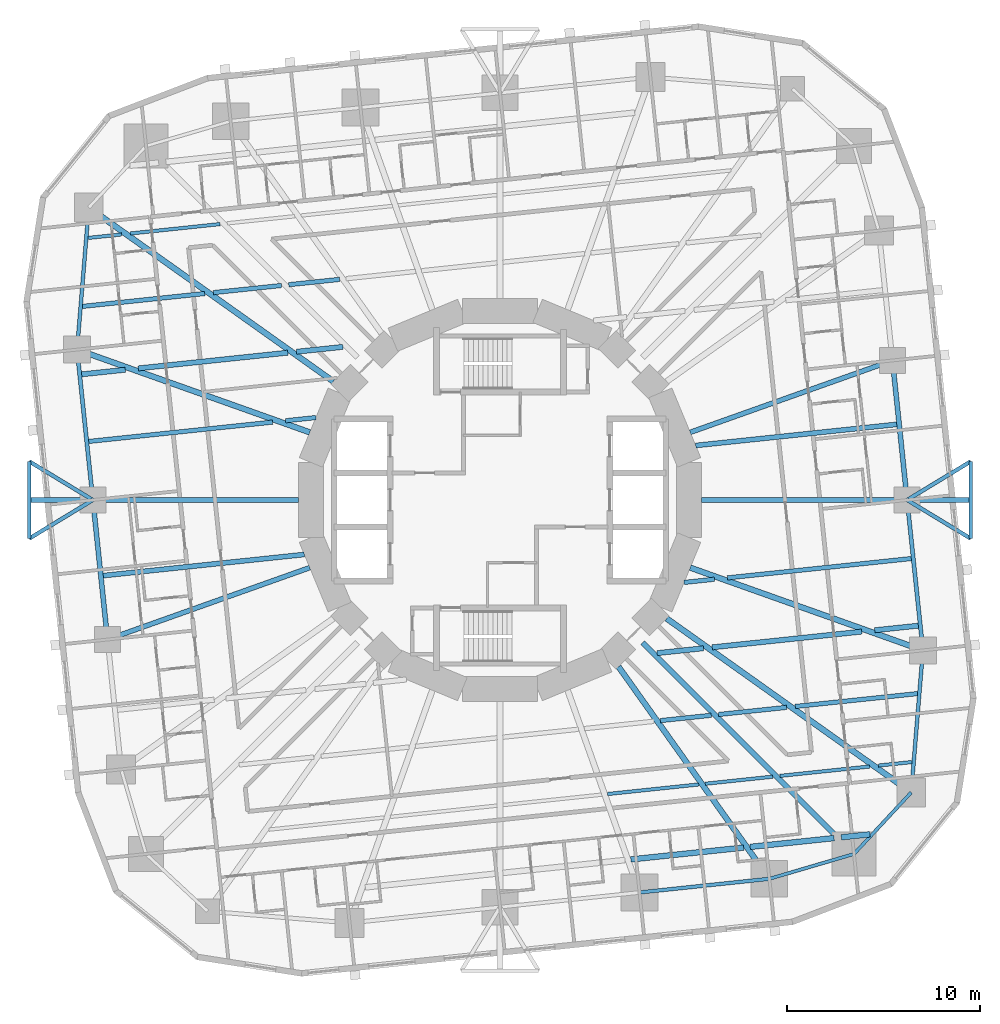
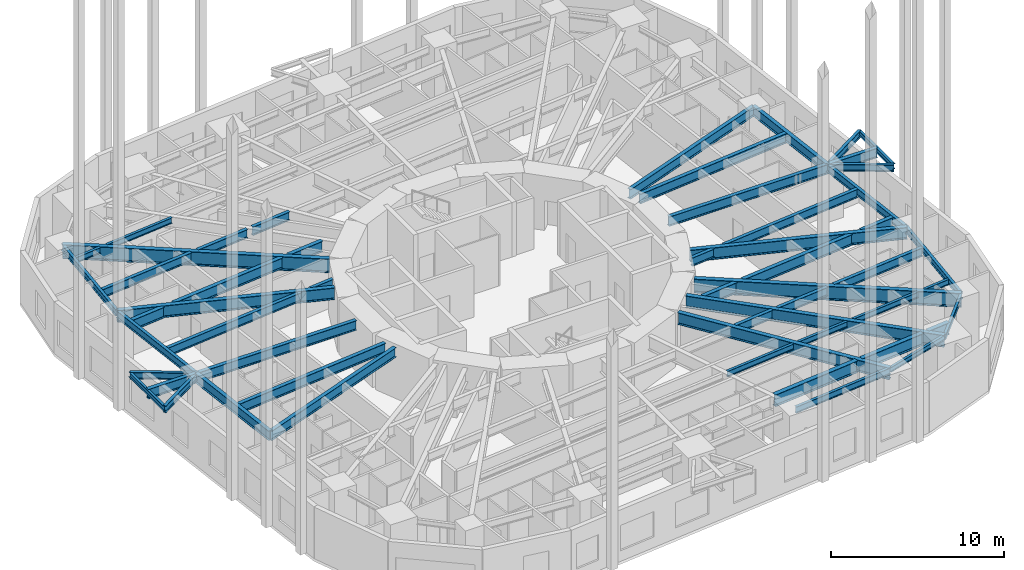
# One storey, part 2 of 13: 52 beams.
"""IFC4 building model written with IfcOpenShell, lengths in metres."""

import ifcopenshell
import ifcopenshell.guid

model = None  # the IFC model being written
_history = None  # IfcOwnerHistory: only IFC2X3 demands one
_inside = {}  # id of a spatial element -> (the spatial element, [elements in it])
_under = {}  # id of a project, library or spatial element -> (it, [spatial elements below it])
_declared = {}  # id of a project -> (the project, [libraries it declares])
_typed = {}  # id of a type object -> (the type object, [elements of that type])
_made_of = {}  # id of a material, layer set ... -> (it, [elements and type objects made of it])


def new_model(schema):
    """Start an empty IFC model of exactly this schema.

    Asked for "IFC4X3", IfcOpenShell would pick the latest addendum, in which some entities
    have other attributes; the version numbers below select the first issue.
    IFC2X3 requires an IfcOwnerHistory on every rooted entity: one is made here for all.
    """
    global model, _history
    if schema == "IFC4X3":
        model = ifcopenshell.file(schema_version=(4, 3, 0, 0))
    else:
        model = ifcopenshell.file(schema=schema)
    _inside.clear()
    _under.clear()
    _declared.clear()
    _typed.clear()
    _made_of.clear()
    _history = None
    if model.schema == "IFC2X3":
        org = make("IfcOrganization", Name="unknown")
        user = make(
            "IfcPersonAndOrganization",
            ThePerson=make("IfcPerson", FamilyName="unknown"),
            TheOrganization=org,
        )
        app = make(
            "IfcApplication",
            ApplicationDeveloper=org,
            Version="unknown",
            ApplicationFullName="unknown",
            ApplicationIdentifier="unknown",
        )
        _history = make(
            "IfcOwnerHistory",
            OwningUser=user,
            OwningApplication=app,
            ChangeAction="ADDED",
            CreationDate=0,
        )
    return model


def make(cls, **values):
    """One entity of the class cls with the attributes given. An attribute that is None is left unset."""
    return model.create_entity(
        cls, **{name: value for name, value in values.items() if value is not None}
    )


def rooted(cls, **values):
    """An entity with a GlobalId (a new one), such as an element, a storey or a relation."""
    return make(cls, GlobalId=ifcopenshell.guid.new(), OwnerHistory=_history, **values)


def si_unit(unit_type, name, prefix=None):
    """IfcSIUnit, for example si_unit("LENGTHUNIT", "METRE", prefix="MILLI")."""
    return make("IfcSIUnit", UnitType=unit_type, Prefix=prefix, Name=name)


def assignment(units):
    """IfcUnitAssignment: the units of a project."""
    return None if units is None else make("IfcUnitAssignment", Units=units)


def point(xyz):
    """IfcCartesianPoint."""
    return None if xyz is None else make("IfcCartesianPoint", Coordinates=xyz)


def direction(xyz):
    """IfcDirection."""
    return None if xyz is None else make("IfcDirection", DirectionRatios=xyz)


def frame(location, z_axis=None, x_axis=None):
    """IfcAxis2Placement3D, a coordinate frame: its origin and axes. An axis left out is left unset."""
    return make(
        "IfcAxis2Placement3D",
        Location=point(location),
        Axis=direction(z_axis),
        RefDirection=direction(x_axis),
    )


def frame_2d(location, x_axis=None):
    """IfcAxis2Placement2D, a coordinate frame in the plane: its origin and x axis."""
    return make(
        "IfcAxis2Placement2D", Location=point(location), RefDirection=direction(x_axis)
    )


def origin():
    """The frame at (0, 0, 0) with its axes left unset."""
    return frame((0.0, 0.0, 0.0))


def origin_2d():
    """The frame at (0, 0) in the plane with its x axis left unset."""
    return frame_2d((0.0, 0.0))


def place(relative_to, where):
    """IfcLocalPlacement: puts the frame where relative to a parent placement (None: the world)."""
    return make(
        "IfcLocalPlacement", PlacementRelTo=relative_to, RelativePlacement=where
    )


def context(
    kind, dimensions, precision=None, world=None, true_north=None, identifier=None
):
    """IfcGeometricRepresentationContext, for example the 3D "Model" context."""
    return make(
        "IfcGeometricRepresentationContext",
        ContextIdentifier=identifier,
        ContextType=kind,
        CoordinateSpaceDimension=dimensions,
        Precision=precision,
        WorldCoordinateSystem=world,
        TrueNorth=true_north,
    )


def subcontext(parent, identifier, kind, view, scale=None):
    """IfcGeometricRepresentationSubContext, for example "Body" below "Model"."""
    return make(
        "IfcGeometricRepresentationSubContext",
        ContextIdentifier=identifier,
        ContextType=kind,
        ParentContext=parent,
        TargetScale=scale,
        TargetView=view,
    )


def project(units=None, contexts=None):
    """IfcProject with its units and contexts."""
    return rooted(
        "IfcProject",
        Name="project",
        RepresentationContexts=contexts,
        UnitsInContext=assignment(units),
    )


def spatial(cls, under=None, at=None, **own):
    """A site, building, storey or space (cls), placed at a placement, below another one or the project."""
    s = rooted(cls, ObjectPlacement=at, **own)
    if under is not None:
        _under.setdefault(under.id(), (under, []))[1].append(s)
    return s


def profile(cls, at=None, kind="AREA", **sizes):
    """A parametric profile (cls). Its sizes go by their IFC names, for example OverallWidth=200.0."""
    return make(cls, ProfileType=kind, Position=at, **sizes)


def i_section(**sizes):
    """IfcIShapeProfileDef."""
    return profile("IfcIShapeProfileDef", **sizes)


def extrude(swept, where, along, depth):
    """IfcExtrudedAreaSolid: the profile swept, set in the frame where, extruded along a direction by depth."""
    return make(
        "IfcExtrudedAreaSolid",
        SweptArea=swept,
        Position=where,
        ExtrudedDirection=direction(along),
        Depth=depth,
    )


def shape(context_of_items, identifier, shape_type, items):
    """IfcShapeRepresentation: the items that make up one representation, for example the "Body"."""
    return make(
        "IfcShapeRepresentation",
        ContextOfItems=context_of_items,
        RepresentationIdentifier=identifier,
        RepresentationType=shape_type,
        Items=items,
    )


def material(Name=None, Category=None):
    """IfcMaterial."""
    return make("IfcMaterial", Name=Name, Category=Category)


def material_profile(
    of_material, cross_section, Name=None, Category=None, Priority=None
):
    """IfcMaterialProfile: a cross section and its material."""
    return make(
        "IfcMaterialProfile",
        Name=Name,
        Material=of_material,
        Profile=cross_section,
        Priority=Priority,
        Category=Category,
    )


def profile_set(profiles, Name=None, composite=None):
    """IfcMaterialProfileSet."""
    return make(
        "IfcMaterialProfileSet",
        Name=Name,
        MaterialProfiles=profiles,
        CompositeProfile=composite,
    )


def made_of(thing, what):
    """Note that an element or type object is made of a material, layer set ...; save() writes the relation."""
    if what is not None:
        _made_of.setdefault(what.id(), (what, []))[1].append(thing)
    return thing


def type_object(cls, material=None, **own):
    """A type object (cls), such as IfcWallType, which elements share."""
    return made_of(rooted(cls, **own), material)


def element(
    cls,
    number,
    at=None,
    inside=None,
    cuts=None,
    type_object=None,
    material=None,
    context=None,
    identifier="Body",
    shape_type=None,
    held_by="IfcProductDefinitionShape",
    body=None,
    shapes=None,
    **own,
):
    """One element of the class cls, such as IfcWall. Its Tag is "e" and its number.

    at: its placement. inside: the storey or other place that contains it. cuts: it is an
    opening in that element (IfcRelVoidsElement). A single representation is given by context,
    identifier, shape_type and body (its items); several are given by shapes. held_by: the class
    of the entity that holds the representations. save() writes the other relations.
    """
    e = rooted(cls, Tag="e%d" % number, ObjectPlacement=at, **own)
    if body is not None:
        shapes = [shape(context, identifier, shape_type, body)]
    if shapes is not None:
        e.Representation = make(held_by, Representations=shapes)
    if inside is not None:
        _inside.setdefault(inside.id(), (inside, []))[1].append(e)
    if cuts is not None:
        rooted(
            "IfcRelVoidsElement", RelatingBuildingElement=cuts, RelatedOpeningElement=e
        )
    if type_object is not None:
        _typed.setdefault(type_object.id(), (type_object, []))[1].append(e)
    return made_of(e, material)


def aggregate(whole, parts):
    """IfcRelAggregates: a whole, such as a stair, and the parts it consists of."""
    return rooted("IfcRelAggregates", RelatingObject=whole, RelatedObjects=parts)


def save(model, path):
    """Write the relations noted so far, then the file.

    IfcRelAggregates (storeys below a building ...), IfcRelContainedInSpatialStructure (elements
    in a storey), IfcRelDefinesByType, IfcRelAssociatesMaterial and IfcRelDeclares: one each for
    every whole, place, type object, material and project.
    """
    for whole, parts in _under.values():
        aggregate(whole, parts)
    for where, things in _inside.values():
        rooted(
            "IfcRelContainedInSpatialStructure",
            RelatedElements=things,
            RelatingStructure=where,
        )
    for kind, things in _typed.values():
        rooted("IfcRelDefinesByType", RelatedObjects=things, RelatingType=kind)
    for what, things in _made_of.values():
        rooted("IfcRelAssociatesMaterial", RelatedObjects=things, RelatingMaterial=what)
    for by, libraries in _declared.values():
        rooted("IfcRelDeclares", RelatingContext=by, RelatedDefinitions=libraries)
    model.write(path)


model = new_model("IFC4")

# Units and contexts
model_context = context("Model", 3, precision=1e-05, world=origin(), true_north=direction((0.0, 1.0)))
body_context = subcontext(model_context, "Body", "Model", "MODEL_VIEW")
ifc_project = project(units=[si_unit("LENGTHUNIT", "METRE"), si_unit("AREAUNIT", "SQUARE_METRE"), si_unit("VOLUMEUNIT", "CUBIC_METRE"), si_unit("PLANEANGLEUNIT", "RADIAN"), si_unit("MASSUNIT", "GRAM", prefix="KILO")], contexts=[model_context])

# Site, building, storey
site_placement = place(None, origin())
site = spatial("IfcSite", under=ifc_project, at=site_placement, CompositionType="ELEMENT")
building_placement = place(site_placement, origin())
building = spatial("IfcBuilding", under=site, at=building_placement, Name="Nakasero Lantern House", CompositionType="ELEMENT")
storey_placement = place(building_placement, frame((0.0, 0.0, 60.5)))
storey = spatial("IfcBuildingStorey", under=building, at=storey_placement, Name="L14", CompositionType="ELEMENT", Elevation=60.5)

# Beams
ifc_material_1 = material(Name="Steel S355", Category="steel")
ifc_material_profile_1 = material_profile(ifc_material_1, i_section(OverallWidth=0.199462890625, OverallDepth=0.491943359375, WebThickness=0.01806640625, FlangeThickness=0.031982421875, FilletRadius=0.01025390625, at=origin_2d()), Name="UB 457x191x161")
ifc_profile_set_1 = profile_set([ifc_material_profile_1], Name="Steel S355")
beam_type_1 = type_object("IfcBeamType", Name="Balcony splay beam UB 457x191x161", PredefinedType="BEAM", material=ifc_profile_set_1)
for number, where, z_axis, x_axis, name in (
    (1, (21.11572265625, 0.0, 3.404052734375), (0.855201230787, 0.518296107317, 0.0), (-0.518296107317, 0.855201230787, 0.0), "Balcony splay beam L15 B2-C03A"),
    (2, (21.11572265625, 0.0, 3.404052734375), (0.855201230787, -0.518296107317, 0.0), (0.518296107317, 0.855201230787, 0.0), "Balcony splay beam L15 B2-C03B"),
    (3, (-21.11572265625, 0.0, 3.404052734375), (-0.855201230787, -0.518296107317, 0.0), (0.518296107317, -0.855201230787, 0.0), "Balcony splay beam L15 B2-C15A"),
    (4, (-21.11572265625, 0.0, 3.404052734375), (-0.855201230787, 0.518296107317, 0.0), (-0.518296107317, -0.855201230787, 0.0), "Balcony splay beam L15 B2-C15B"),
):
    element("IfcBeam", number, at=place(storey_placement, frame(where, z_axis=z_axis, x_axis=x_axis)), inside=storey, type_object=beam_type_1, Name=name, PredefinedType="BEAM", context=body_context, shape_type="SweptSolid", body=[
        extrude(i_section(OverallWidth=0.199462890625, OverallDepth=0.491943359375, WebThickness=0.01806640625, FlangeThickness=0.031982421875, FilletRadius=0.01025390625, at=origin_2d()), origin(), (0.0, 0.0, 1.0), 3.85888671875),
    ])
ifc_material_2 = material(Name="Steel S355", Category="steel")
ifc_material_profile_2 = material_profile(ifc_material_2, i_section(OverallWidth=0.17138671875, OverallDepth=0.35498046875, WebThickness=0.00732421875, FlangeThickness=0.011474609375, FilletRadius=0.01025390625, at=origin_2d()), Name="UB 356x171x51")
ifc_profile_set_2 = profile_set([ifc_material_profile_2], Name="Steel S355")
beam_type_2 = type_object("IfcBeamType", Name="Balcony tie beam UB 356x171x51", PredefinedType="BEAM", material=ifc_profile_set_2)
for number, where, z_axis, x_axis, name in (
    (5, (24.415771484375, 2.0, 3.472412109375), (0.0, -1.0, 0.0), (1.0, 0.0, 0.0), "Balcony tie beam L15 B2-C03"),
    (6, (-24.415771484375, -2.0, 3.472412109375), (0.0, 1.0, 0.0), (-1.0, 0.0, 0.0), "Balcony tie beam L15 B2-C15"),
):
    element("IfcBeam", number, at=place(storey_placement, frame(where, z_axis=z_axis, x_axis=x_axis)), inside=storey, type_object=beam_type_2, Name=name, PredefinedType="BEAM", context=body_context, shape_type="SweptSolid", body=[
        extrude(i_section(OverallWidth=0.17138671875, OverallDepth=0.35498046875, WebThickness=0.00732421875, FlangeThickness=0.011474609375, FilletRadius=0.01025390625, at=origin_2d()), origin(), (0.0, 0.0, 1.0), 4.0),
    ])
ifc_material_3 = material(Name="Steel S355", Category="steel")
ifc_material_profile_3 = material_profile(ifc_material_3, i_section(OverallWidth=0.177978515625, OverallDepth=0.406494140625, WebThickness=0.0078125, FlangeThickness=0.0126953125, FilletRadius=0.01025390625, at=origin_2d()), Name="UB 406x178x60")
ifc_profile_set_3 = profile_set([ifc_material_profile_3], Name="Steel S355")
beam_type_3 = type_object("IfcBeamType", Name="Infill beam UB 406x178x60", PredefinedType="JOIST", material=ifc_profile_set_3)
beam_1_placement = place(storey_placement, frame((5.58154296875, -15.25, 3.44677734375), z_axis=(0.994523439889, 0.104513767091, 0.0), x_axis=(-0.104513767091, 0.994523439889, 0.0)))
element("IfcBeam", 7, at=beam_1_placement, inside=storey, type_object=beam_type_3, Name="Infill beam L15 03.4", PredefinedType="JOIST", context=body_context, shape_type="SweptSolid", body=[
    extrude(i_section(OverallWidth=0.177978515625, OverallDepth=0.406494140625, WebThickness=0.0078125, FlangeThickness=0.0126953125, FilletRadius=0.01025390625, at=origin_2d()), origin(), (0.0, 0.0, 1.0), 4.756103515625),
])
beam_2_placement = place(storey_placement, frame((10.6455078125, -14.7177734375, 3.44677734375), z_axis=(0.994521415391, 0.104533029842, 0.0), x_axis=(-0.104533029842, 0.994521415391, 0.0)))
element("IfcBeam", 8, at=beam_2_placement, inside=storey, type_object=beam_type_3, Name="Infill beam L15 03.5", PredefinedType="JOIST", context=body_context, shape_type="SweptSolid", body=[
    extrude(i_section(OverallWidth=0.177978515625, OverallDepth=0.406494140625, WebThickness=0.0078125, FlangeThickness=0.0126953125, FilletRadius=0.01025390625, at=origin_2d()), origin(), (0.0, 0.0, 1.0), 3.517333984375),
])
beam_3_placement = place(storey_placement, frame((14.517578125, -14.310791015625, 3.44677734375), z_axis=(0.994522000641, 0.104527461662, 0.0), x_axis=(-0.104527461662, 0.994522000641, 0.0)))
element("IfcBeam", 9, at=beam_3_placement, inside=storey, type_object=beam_type_3, Name="Infill beam L15 03.6", PredefinedType="JOIST", context=body_context, shape_type="SweptSolid", body=[
    extrude(i_section(OverallWidth=0.177978515625, OverallDepth=0.406494140625, WebThickness=0.0078125, FlangeThickness=0.0126953125, FilletRadius=0.01025390625, at=origin_2d()), origin(), (0.0, 0.0, 1.0), 4.685302734375),
])
for number, where, z_axis, x_axis, name in (
    (10, (19.628173828125, -13.773681640625, 3.44677734375), (0.994526919783, 0.1044806481, 0.0), (-0.1044806481, 0.994526919783, 0.0), "Infill beam L15 03.7"),
    (11, (-21.36181640625, 13.591552734375, 3.44677734375), (0.994526919783, 0.1044806481, 0.0), (-0.1044806481, 0.994526919783, 0.0), "Infill beam L15 12.1"),
):
    element("IfcBeam", number, at=place(storey_placement, frame(where, z_axis=z_axis, x_axis=x_axis)), inside=storey, type_object=beam_type_3, Name=name, PredefinedType="JOIST", context=body_context, shape_type="SweptSolid", body=[
        extrude(i_section(OverallWidth=0.177978515625, OverallDepth=0.406494140625, WebThickness=0.0078125, FlangeThickness=0.0126953125, FilletRadius=0.01025390625, at=origin_2d()), origin(), (0.0, 0.0, 1.0), 1.7431640625),
    ])
beam_4_placement = place(storey_placement, frame((-19.17724609375, 13.821044921875, 3.44677734375), z_axis=(0.994522000641, 0.104527461662, 0.0), x_axis=(-0.104527461662, 0.994522000641, 0.0)))
element("IfcBeam", 12, at=beam_4_placement, inside=storey, type_object=beam_type_3, Name="Infill beam L15 12.2", PredefinedType="JOIST", context=body_context, shape_type="SweptSolid", body=[
    extrude(i_section(OverallWidth=0.177978515625, OverallDepth=0.406494140625, WebThickness=0.0078125, FlangeThickness=0.0126953125, FilletRadius=0.01025390625, at=origin_2d()), origin(), (0.0, 0.0, 1.0), 4.685302734375),
])
ifc_material_4 = material(Name="Steel S355", Category="steel")
ifc_material_profile_4 = material_profile(ifc_material_4, i_section(OverallWidth=0.2275390625, OverallDepth=0.6025390625, WebThickness=0.010498046875, FlangeThickness=0.014892578125, FilletRadius=0.0126953125, at=origin_2d()), Name="UB 610x229x101")
ifc_profile_set_4 = profile_set([ifc_material_profile_4], Name="Steel S355")
beam_type_4 = type_object("IfcBeamType", Name="Infill beam UB 610x229x101", PredefinedType="JOIST", material=ifc_profile_set_4)
beam_5_placement = place(storey_placement, frame((9.548583984375, -4.275390625, 3.3486328125), z_axis=(0.99451559139, 0.104588424223, 0.0), x_axis=(-0.104588424223, 0.99451559139, 0.0)))
element("IfcBeam", 13, at=beam_5_placement, inside=storey, type_object=beam_type_4, Name="Infill beam L15 06.1", PredefinedType="JOIST", context=body_context, shape_type="SweptSolid", body=[
    extrude(i_section(OverallWidth=0.2275390625, OverallDepth=0.6025390625, WebThickness=0.010498046875, FlangeThickness=0.014892578125, FilletRadius=0.0126953125, at=origin_2d()), origin(), (0.0, 0.0, 1.0), 1.582763671875),
])
for number, where, z_axis, x_axis, name in (
    (14, (11.79638671875, -4.0390625, 3.3486328125), (0.994521908804, 0.104528335435, 0.0), (-0.104528335435, 0.994521908804, 0.0), "Infill beam L15 06.2"),
    (15, (-21.329345703125, 3.037109375, 3.3486328125), (0.994521908804, 0.104528335435, 0.0), (-0.104528335435, 0.994521908804, 0.0), "Infill beam L15 09.1"),
):
    element("IfcBeam", number, at=place(storey_placement, frame(where, z_axis=z_axis, x_axis=x_axis)), inside=storey, type_object=beam_type_4, Name=name, PredefinedType="JOIST", context=body_context, shape_type="SweptSolid", body=[
        extrude(i_section(OverallWidth=0.2275390625, OverallDepth=0.6025390625, WebThickness=0.010498046875, FlangeThickness=0.014892578125, FilletRadius=0.0126953125, at=origin_2d()), origin(), (0.0, 0.0, 1.0), 9.58544921875),
    ])
beam_6_placement = place(storey_placement, frame((-11.12255859375, 4.10986328125, 3.3486328125), z_axis=(0.99451559139, 0.104588424223, 0.0), x_axis=(-0.104588424223, 0.99451559139, 0.0)))
element("IfcBeam", 16, at=beam_6_placement, inside=storey, type_object=beam_type_4, Name="Infill beam L15 09.2", PredefinedType="JOIST", context=body_context, shape_type="SweptSolid", body=[
    extrude(i_section(OverallWidth=0.2275390625, OverallDepth=0.6025390625, WebThickness=0.010498046875, FlangeThickness=0.014892578125, FilletRadius=0.0126953125, at=origin_2d()), origin(), (0.0, 0.0, 1.0), 1.582763671875),
])
ifc_material_5 = material(Name="Steel S355", Category="steel")
ifc_material_profile_5 = material_profile(ifc_material_5, i_section(OverallWidth=0.22900390625, OverallDepth=0.6123046875, WebThickness=0.011962890625, FlangeThickness=0.01953125, FilletRadius=0.0126953125, at=origin_2d()), Name="UB 610x229x125")
ifc_profile_set_5 = profile_set([ifc_material_profile_5], Name="Steel S355")
beam_type_5 = type_object("IfcBeamType", Name="Infill beam UB 610x229x125", PredefinedType="JOIST", material=ifc_profile_set_5)
beam_7_placement = place(storey_placement, frame((8.31689453125, -11.443359375, 3.343994140625), z_axis=(0.994526079282, 0.104488648322, 0.0), x_axis=(-0.104488648322, 0.994526079282, 0.0)))
element("IfcBeam", 17, at=beam_7_placement, inside=storey, type_object=beam_type_5, Name="Infill beam L15 04.6", PredefinedType="JOIST", context=body_context, shape_type="SweptSolid", body=[
    extrude(i_section(OverallWidth=0.22900390625, OverallDepth=0.6123046875, WebThickness=0.011962890625, FlangeThickness=0.01953125, FilletRadius=0.0126953125, at=origin_2d()), origin(), (0.0, 0.0, 1.0), 2.65673828125),
])
beam_8_placement = place(storey_placement, frame((11.3330078125, -11.126220703125, 3.343994140625), z_axis=(0.99452727583, 0.104477258916, 0.0), x_axis=(-0.104477258916, 0.99452727583, 0.0)))
element("IfcBeam", 18, at=beam_8_placement, inside=storey, type_object=beam_type_5, Name="Infill beam L15 04.7", PredefinedType="JOIST", context=body_context, shape_type="SweptSolid", body=[
    extrude(i_section(OverallWidth=0.22900390625, OverallDepth=0.6123046875, WebThickness=0.011962890625, FlangeThickness=0.01953125, FilletRadius=0.0126953125, at=origin_2d()), origin(), (0.0, 0.0, 1.0), 3.552001953125),
])
for number, where, z_axis, x_axis, name in (
    (19, (15.31640625, -10.707763671875, 3.343994140625), (0.994520346325, 0.104543200382, 0.0), (-0.104543200382, 0.994520346325, 0.0), "Infill beam L15 04.8"),
    (20, (-21.654541015625, 10.04150390625, 3.343994140625), (0.994520346325, 0.104543200382, 0.0), (-0.104543200382, 0.994520346325, 0.0), "Infill beam L15 11.1"),
):
    element("IfcBeam", number, at=place(storey_placement, frame(where, z_axis=z_axis, x_axis=x_axis)), inside=storey, type_object=beam_type_5, Name=name, PredefinedType="JOIST", context=body_context, shape_type="SweptSolid", body=[
        extrude(i_section(OverallWidth=0.22900390625, OverallDepth=0.6123046875, WebThickness=0.011962890625, FlangeThickness=0.01953125, FilletRadius=0.0126953125, at=origin_2d()), origin(), (0.0, 0.0, 1.0), 6.373046875),
    ])
beam_9_placement = place(storey_placement, frame((-14.865478515625, 10.755126953125, 3.343994140625), z_axis=(0.99452727583, 0.104477258916, 0.0), x_axis=(-0.104477258916, 0.99452727583, 0.0)))
element("IfcBeam", 21, at=beam_9_placement, inside=storey, type_object=beam_type_5, Name="Infill beam L15 11.2", PredefinedType="JOIST", context=body_context, shape_type="SweptSolid", body=[
    extrude(i_section(OverallWidth=0.22900390625, OverallDepth=0.6123046875, WebThickness=0.011962890625, FlangeThickness=0.01953125, FilletRadius=0.0126953125, at=origin_2d()), origin(), (0.0, 0.0, 1.0), 3.552001953125),
])
beam_10_placement = place(storey_placement, frame((-10.958984375, 11.165771484375, 3.343994140625), z_axis=(0.994526079282, 0.104488648322, 0.0), x_axis=(-0.104488648322, 0.994526079282, 0.0)))
element("IfcBeam", 22, at=beam_10_placement, inside=storey, type_object=beam_type_5, Name="Infill beam L15 11.3", PredefinedType="JOIST", context=body_context, shape_type="SweptSolid", body=[
    extrude(i_section(OverallWidth=0.22900390625, OverallDepth=0.6123046875, WebThickness=0.011962890625, FlangeThickness=0.01953125, FilletRadius=0.0126953125, at=origin_2d()), origin(), (0.0, 0.0, 1.0), 2.65673828125),
])
ifc_material_6 = material(Name="Steel S355", Category="steel")
ifc_material_profile_6 = material_profile(ifc_material_6, i_section(OverallWidth=0.255859375, OverallDepth=0.69287109375, WebThickness=0.014404296875, FlangeThickness=0.023681640625, FilletRadius=0.01513671875, at=origin_2d()), Name="UB 686x254x170")
ifc_profile_set_6 = profile_set([ifc_material_profile_6], Name="Steel S355")
beam_type_6 = type_object("IfcBeamType", Name="Infill beam UB 686x254x170", PredefinedType="JOIST", material=ifc_profile_set_6)
for number, where, z_axis, x_axis, name in (
    (23, (-20.575927734375, -3.92236328125, 3.303466796875), (0.994521899939, 0.104528419781, 0.0), (-0.104528419781, 0.994521899939, 0.0), "Infill beam L15 07.1"),
    (24, (10.148681640625, 2.826416015625, 3.303466796875), (0.994521899939, 0.104528419781, 0.0), (-0.104528419781, 0.994521899939, 0.0), "Infill beam L15 08.1"),
):
    element("IfcBeam", number, at=place(storey_placement, frame(where, z_axis=z_axis, x_axis=x_axis)), inside=storey, type_object=beam_type_6, Name=name, PredefinedType="JOIST", context=body_context, shape_type="SweptSolid", body=[
        extrude(i_section(OverallWidth=0.255859375, OverallDepth=0.69287109375, WebThickness=0.014404296875, FlangeThickness=0.023681640625, FilletRadius=0.01513671875, at=origin_2d()), origin(), (0.0, 0.0, 1.0), 10.484619140625),
    ])
ifc_material_7 = material(Name="Steel S355", Category="steel")
ifc_material_profile_7 = material_profile(ifc_material_7, i_section(OverallWidth=0.2666015625, OverallDepth=0.76220703125, WebThickness=0.014404296875, FlangeThickness=0.021484375, FilletRadius=0.0166015625, at=origin_2d()), Name="UB 762x267x173")
ifc_profile_set_7 = profile_set([ifc_material_profile_7], Name="Steel S355")
beam_type_7 = type_object("IfcBeamType", Name="Infill beam UB 762x267x173", PredefinedType="JOIST", material=ifc_profile_set_7)
beam_11_placement = place(storey_placement, frame((8.1484375, -7.941650390625, 3.268798828125), z_axis=(0.99452700398, 0.104479846642, 0.0), x_axis=(-0.104479846642, 0.99452700398, 0.0)))
element("IfcBeam", 25, at=beam_11_placement, inside=storey, type_object=beam_type_7, Name="Infill beam L15 05.5", PredefinedType="JOIST", context=body_context, shape_type="SweptSolid", body=[
    extrude(i_section(OverallWidth=0.2666015625, OverallDepth=0.76220703125, WebThickness=0.014404296875, FlangeThickness=0.021484375, FilletRadius=0.0166015625, at=origin_2d()), origin(), (0.0, 0.0, 1.0), 2.41845703125),
])
beam_12_placement = place(storey_placement, frame((11.0048828125, -7.6416015625, 3.268798828125), z_axis=(0.994520535103, 0.104541404521, 0.0), x_axis=(-0.104541404521, 0.994520535103, 0.0)))
element("IfcBeam", 26, at=beam_12_placement, inside=storey, type_object=beam_type_7, Name="Infill beam L15 05.6", PredefinedType="JOIST", context=body_context, shape_type="SweptSolid", body=[
    extrude(i_section(OverallWidth=0.2666015625, OverallDepth=0.76220703125, WebThickness=0.014404296875, FlangeThickness=0.021484375, FilletRadius=0.0166015625, at=origin_2d()), origin(), (0.0, 0.0, 1.0), 7.800048828125),
])
for number, where, z_axis, x_axis, name in (
    (27, (19.43603515625, -6.75537109375, 3.268798828125), (0.994516636986, 0.104578481334, 0.0), (-0.104578481334, 0.994516636986, 0.0), "Infill beam L15 05.7"),
    (28, (-21.695068359375, 6.517822265625, 3.268798828125), (0.994516636986, 0.104578481334, 0.0), (-0.104578481334, 0.994516636986, 0.0), "Infill beam L15 10.1"),
):
    element("IfcBeam", number, at=place(storey_placement, frame(where, z_axis=z_axis, x_axis=x_axis)), inside=storey, type_object=beam_type_7, Name=name, PredefinedType="JOIST", context=body_context, shape_type="SweptSolid", body=[
        extrude(i_section(OverallWidth=0.2666015625, OverallDepth=0.76220703125, WebThickness=0.014404296875, FlangeThickness=0.021484375, FilletRadius=0.0166015625, at=origin_2d()), origin(), (0.0, 0.0, 1.0), 2.271484375),
    ])
beam_13_placement = place(storey_placement, frame((-18.76220703125, 6.826171875, 3.268798828125), z_axis=(0.994520535103, 0.104541404521, 0.0), x_axis=(-0.104541404521, 0.994520535103, 0.0)))
element("IfcBeam", 29, at=beam_13_placement, inside=storey, type_object=beam_type_7, Name="Infill beam L15 10.2", PredefinedType="JOIST", context=body_context, shape_type="SweptSolid", body=[
    extrude(i_section(OverallWidth=0.2666015625, OverallDepth=0.76220703125, WebThickness=0.014404296875, FlangeThickness=0.021484375, FilletRadius=0.0166015625, at=origin_2d()), origin(), (0.0, 0.0, 1.0), 7.800048828125),
])
beam_14_placement = place(storey_placement, frame((-10.5537109375, 7.68896484375, 3.268798828125), z_axis=(0.99452700398, 0.104479846642, 0.0), x_axis=(-0.104479846642, 0.99452700398, 0.0)))
element("IfcBeam", 30, at=beam_14_placement, inside=storey, type_object=beam_type_7, Name="Infill beam L15 10.3", PredefinedType="JOIST", context=body_context, shape_type="SweptSolid", body=[
    extrude(i_section(OverallWidth=0.2666015625, OverallDepth=0.76220703125, WebThickness=0.014404296875, FlangeThickness=0.021484375, FilletRadius=0.0166015625, at=origin_2d()), origin(), (0.0, 0.0, 1.0), 2.41845703125),
])
ifc_material_8 = material(Name="Steel S355", Category="steel")
ifc_material_profile_8 = material_profile(ifc_material_8, i_section(OverallWidth=0.29248046875, OverallDepth=0.8408203125, WebThickness=0.0146484375, FlangeThickness=0.02685546875, FilletRadius=0.017822265625, at=origin_2d()), Name="UB 838x292x194")
ifc_profile_set_8 = profile_set([ifc_material_profile_8], Name="Steel S355")
beam_type_8 = type_object("IfcBeamType", Name="Infill beam UB 838x292x194", PredefinedType="JOIST", material=ifc_profile_set_8)
beam_15_placement = place(storey_placement, frame((6.78759765625, -18.642578125, 3.229736328125), z_axis=(0.994524304789, 0.104505536616, 0.0), x_axis=(-0.104505536616, 0.994524304789, 0.0)))
element("IfcBeam", 31, at=beam_15_placement, inside=storey, type_object=beam_type_8, Name="Infill beam L15 02.3", PredefinedType="JOIST", context=body_context, shape_type="SweptSolid", body=[
    extrude(i_section(OverallWidth=0.29248046875, OverallDepth=0.8408203125, WebThickness=0.0146484375, FlangeThickness=0.02685546875, FilletRadius=0.017822265625, at=origin_2d()), origin(), (0.0, 0.0, 1.0), 5.884765625),
])
beam_16_placement = place(storey_placement, frame((12.97412109375, -17.992431640625, 3.229736328125), z_axis=(0.994518584312, 0.104559961062, 0.0), x_axis=(-0.104559961062, 0.994518584312, 0.0)))
element("IfcBeam", 32, at=beam_16_placement, inside=storey, type_object=beam_type_8, Name="Infill beam L15 02.4", PredefinedType="JOIST", context=body_context, shape_type="SweptSolid", body=[
    extrude(i_section(OverallWidth=0.29248046875, OverallDepth=0.8408203125, WebThickness=0.0146484375, FlangeThickness=0.02685546875, FilletRadius=0.017822265625, at=origin_2d()), origin(), (0.0, 0.0, 1.0), 4.3779296875),
])
beam_17_placement = place(storey_placement, frame((17.7021484375, -17.495361328125, 3.229736328125), z_axis=(0.994535800288, 0.104396082038, 0.0), x_axis=(-0.104396082038, 0.994535800288, 0.0)))
element("IfcBeam", 33, at=beam_17_placement, inside=storey, type_object=beam_type_8, Name="Infill beam L15 02.5", PredefinedType="JOIST", context=body_context, shape_type="SweptSolid", body=[
    extrude(i_section(OverallWidth=0.29248046875, OverallDepth=0.8408203125, WebThickness=0.0146484375, FlangeThickness=0.02685546875, FilletRadius=0.017822265625, at=origin_2d()), origin(), (0.0, 0.0, 1.0), 1.49658203125),
])
ifc_material_9 = material(Name="Steel S355", Category="steel")
ifc_material_profile_9 = material_profile(ifc_material_9, i_section(OverallWidth=0.300048828125, OverallDepth=0.989990234375, WebThickness=0.0166015625, FlangeThickness=0.031005859375, FilletRadius=0.030029296875, at=origin_2d()), Name="UB 1016x305x272")
ifc_profile_set_9 = profile_set([ifc_material_profile_9], Name="Steel S355")
beam_type_9 = type_object("IfcBeamType", Name="Primary beam UB 1016x305x272, span over 15 m", PredefinedType="BEAM", material=ifc_profile_set_9)
for number, where, z_axis, x_axis, name in (
    (34, (21.327880859375, -15.16650390625, 3.155029296875), (-0.814951538239, 0.57952911085, 0.0), (-0.57952911085, -0.814951538239, 0.0), "Primary beam L15 B2-C01"),
    (35, (-21.327880859375, 15.16650390625, 3.155029296875), (0.814951538239, -0.57952911085, 0.0), (0.57952911085, 0.814951538239, 0.0), "Primary beam L15 B2-C13"),
):
    element("IfcBeam", number, at=place(storey_placement, frame(where, z_axis=z_axis, x_axis=x_axis)), inside=storey, type_object=beam_type_9, Name=name, PredefinedType="BEAM", context=body_context, shape_type="SweptSolid", body=[
        extrude(i_section(OverallWidth=0.300048828125, OverallDepth=0.989990234375, WebThickness=0.0166015625, FlangeThickness=0.031005859375, FilletRadius=0.030029296875, at=origin_2d()), origin(), (0.0, 0.0, 1.0), 15.564697265625),
    ])
ifc_material_10 = material(Name="Steel S355", Category="steel")
ifc_material_profile_10 = material_profile(ifc_material_10, i_section(OverallWidth=0.253662109375, OverallDepth=0.68359375, WebThickness=0.012451171875, FlangeThickness=0.01904296875, FilletRadius=0.01513671875, at=origin_2d()), Name="UB 686x254x140")
ifc_profile_set_10 = profile_set([ifc_material_profile_10], Name="Steel S355")
beam_type_10 = type_object("IfcBeamType", Name="Primary beam UB 686x254x140, span 9 to 12 m", PredefinedType="BEAM", material=ifc_profile_set_10)
beam_18_placement = place(storey_placement, frame((24.415771484375, 0.0, 3.308349609375), z_axis=(-1.0, 0.0, 0.0), x_axis=(0.0, -1.0, 0.0)))
element("IfcBeam", 36, at=beam_18_placement, inside=storey, type_object=beam_type_10, Name="Primary beam L15 B2-C03", PredefinedType="BEAM", context=body_context, shape_type="SweptSolid", body=[
    extrude(i_section(OverallWidth=0.253662109375, OverallDepth=0.68359375, WebThickness=0.012451171875, FlangeThickness=0.01904296875, FilletRadius=0.01513671875, at=origin_2d()), origin(), (0.0, 0.0, 1.0), 13.9580078125),
])
beam_19_placement = place(storey_placement, frame((20.35498046875, 7.2373046875, 3.308349609375), z_axis=(-0.942214844119, -0.335009234979, 0.0), x_axis=(0.335009234979, -0.942214844119, 0.0)))
element("IfcBeam", 37, at=beam_19_placement, inside=storey, type_object=beam_type_10, Name="Primary beam L15 B2-C04", PredefinedType="BEAM", context=body_context, shape_type="SweptSolid", body=[
    extrude(i_section(OverallWidth=0.253662109375, OverallDepth=0.68359375, WebThickness=0.012451171875, FlangeThickness=0.01904296875, FilletRadius=0.01513671875, at=origin_2d()), origin(), (0.0, 0.0, 1.0), 11.1318359375),
])
beam_20_placement = place(storey_placement, frame((-24.415771484375, 0.0, 3.308349609375), z_axis=(1.0, 0.0, 0.0), x_axis=(0.0, 1.0, 0.0)))
element("IfcBeam", 38, at=beam_20_placement, inside=storey, type_object=beam_type_10, Name="Primary beam L15 B2-C15", PredefinedType="BEAM", context=body_context, shape_type="SweptSolid", body=[
    extrude(i_section(OverallWidth=0.253662109375, OverallDepth=0.68359375, WebThickness=0.012451171875, FlangeThickness=0.01904296875, FilletRadius=0.01513671875, at=origin_2d()), origin(), (0.0, 0.0, 1.0), 13.9580078125),
])
beam_21_placement = place(storey_placement, frame((-20.35498046875, -7.2373046875, 3.308349609375), z_axis=(0.942214844119, 0.335009234979, 0.0), x_axis=(-0.335009234979, 0.942214844119, 0.0)))
element("IfcBeam", 39, at=beam_21_placement, inside=storey, type_object=beam_type_10, Name="Primary beam L15 B2-C16", PredefinedType="BEAM", context=body_context, shape_type="SweptSolid", body=[
    extrude(i_section(OverallWidth=0.253662109375, OverallDepth=0.68359375, WebThickness=0.012451171875, FlangeThickness=0.01904296875, FilletRadius=0.01513671875, at=origin_2d()), origin(), (0.0, 0.0, 1.0), 11.1318359375),
])
ifc_material_11 = material(Name="Steel S355", Category="steel")
ifc_material_profile_11 = material_profile(ifc_material_11, i_section(OverallWidth=0.29248046875, OverallDepth=0.8408203125, WebThickness=0.0146484375, FlangeThickness=0.02685546875, FilletRadius=0.017822265625, at=origin_2d()), Name="UB 838x292x194")
ifc_profile_set_11 = profile_set([ifc_material_profile_11], Name="Steel S355")
beam_type_11 = type_object("IfcBeamType", Name="Primary beam UB 838x292x194, span 12 to 15 m", PredefinedType="BEAM", material=ifc_profile_set_11)
for number, where, z_axis, x_axis, name in (
    (40, (21.935302734375, -7.79931640625, 3.229736328125), (-0.942211882636, 0.335017564047, 0.0), (-0.335017564047, -0.942211882636, 0.0), "Primary beam L15 B2-C02"),
    (41, (-21.935302734375, 7.79931640625, 3.229736328125), (0.942211882636, -0.335017564047, 0.0), (0.335017564047, 0.942211882636, 0.0), "Primary beam L15 B2-C14"),
):
    element("IfcBeam", number, at=place(storey_placement, frame(where, z_axis=z_axis, x_axis=x_axis)), inside=storey, type_object=beam_type_11, Name=name, PredefinedType="BEAM", context=body_context, shape_type="SweptSolid", body=[
        extrude(i_section(OverallWidth=0.29248046875, OverallDepth=0.8408203125, WebThickness=0.0146484375, FlangeThickness=0.02685546875, FilletRadius=0.017822265625, at=origin_2d()), origin(), (0.0, 0.0, 1.0), 12.80908203125),
    ])
beam_22_placement = place(storey_placement, frame((13.971435546875, -19.647216796875, 3.229736328125), z_axis=(-0.579533393168, 0.814948492976, 0.0), x_axis=(-0.814948492976, -0.579533393168, 0.0)))
element("IfcBeam", 42, at=beam_22_placement, inside=storey, type_object=beam_type_11, Name="Primary beam L15 B2-C23", PredefinedType="BEAM", context=body_context, shape_type="SweptSolid", body=[
    extrude(i_section(OverallWidth=0.29248046875, OverallDepth=0.8408203125, WebThickness=0.0146484375, FlangeThickness=0.02685546875, FilletRadius=0.017822265625, at=origin_2d()), origin(), (0.0, 0.0, 1.0), 13.502685546875),
])
ifc_material_12 = material(Name="Steel S355", Category="steel")
ifc_material_profile_12 = material_profile(ifc_material_12, i_section(OverallWidth=0.29248046875, OverallDepth=0.8408203125, WebThickness=0.0146484375, FlangeThickness=0.02685546875, FilletRadius=0.017822265625, at=origin_2d()), Name="UB 838x292x194")
ifc_profile_set_12 = profile_set([ifc_material_profile_12], Name="Steel S355")
beam_type_12 = type_object("IfcBeamType", Name="Primary beam UB 838x292x194, span over 15 m", PredefinedType="BEAM", material=ifc_profile_set_12)
beam_23_placement = place(storey_placement, frame((18.359375, -18.359375, 3.229736328125), z_axis=(-0.707106781187, 0.707106781187, 0.0), x_axis=(-0.707106781187, -0.707106781187, 0.0)))
element("IfcBeam", 43, at=beam_23_placement, inside=storey, type_object=beam_type_12, Name="Primary beam L15 B2-C24", PredefinedType="BEAM", context=body_context, shape_type="SweptSolid", body=[
    extrude(i_section(OverallWidth=0.29248046875, OverallDepth=0.8408203125, WebThickness=0.0146484375, FlangeThickness=0.02685546875, FilletRadius=0.017822265625, at=origin_2d()), origin(), (0.0, 0.0, 1.0), 15.50634765625),
])
ifc_material_13 = material(Name="Steel S355", Category="steel")
ifc_material_profile_13 = material_profile(ifc_material_13, i_section(OverallWidth=0.17138671875, OverallDepth=0.35498046875, WebThickness=0.00732421875, FlangeThickness=0.011474609375, FilletRadius=0.01025390625, at=origin_2d()), Name="UB 356x171x51")
ifc_profile_set_13 = profile_set([ifc_material_profile_13], Name="Steel S355")
beam_type_13 = type_object("IfcBeamType", Name="Ring beam UB 356x171x51", PredefinedType="BEAM", material=ifc_profile_set_13)
beam_24_placement = place(storey_placement, frame((13.971435546875, -19.647216796875, 3.472412109375), z_axis=(0.959526865957, 0.28161710443, 0.0), x_axis=(-0.28161710443, 0.959526865957, 0.0)))
element("IfcBeam", 44, at=beam_24_placement, inside=storey, type_object=beam_type_13, Name="Ring beam L15 B2-C23", PredefinedType="BEAM", context=body_context, shape_type="SweptSolid", body=[
    extrude(i_section(OverallWidth=0.17138671875, OverallDepth=0.35498046875, WebThickness=0.00732421875, FlangeThickness=0.011474609375, FilletRadius=0.01025390625, at=origin_2d()), origin(), (0.0, 0.0, 1.0), 4.572998046875),
])
beam_25_placement = place(storey_placement, frame((18.359375, -18.359375, 3.472412109375), z_axis=(0.680906333933, 0.732370510336, 0.0), x_axis=(-0.732370510336, 0.680906333933, 0.0)))
element("IfcBeam", 45, at=beam_25_placement, inside=storey, type_object=beam_type_13, Name="Ring beam L15 B2-C24", PredefinedType="BEAM", context=body_context, shape_type="SweptSolid", body=[
    extrude(i_section(OverallWidth=0.17138671875, OverallDepth=0.35498046875, WebThickness=0.00732421875, FlangeThickness=0.011474609375, FilletRadius=0.01025390625, at=origin_2d()), origin(), (0.0, 0.0, 1.0), 4.359619140625),
])
ifc_material_14 = material(Name="Steel S355", Category="steel")
ifc_material_profile_14 = material_profile(ifc_material_14, i_section(OverallWidth=0.18994140625, OverallDepth=0.453369140625, WebThickness=0.008544921875, FlangeThickness=0.0126953125, FilletRadius=0.01025390625, at=origin_2d()), Name="UB 457x191x67")
ifc_profile_set_14 = profile_set([ifc_material_profile_14], Name="Steel S355")
beam_type_14 = type_object("IfcBeamType", Name="Ring beam UB 457x191x67", PredefinedType="BEAM", material=ifc_profile_set_14)
beam_26_placement = place(storey_placement, frame((7.2373046875, -20.35498046875, 3.42333984375), z_axis=(0.994522233155, 0.10452524939, 0.0), x_axis=(-0.10452524939, 0.994522233155, 0.0)))
element("IfcBeam", 46, at=beam_26_placement, inside=storey, type_object=beam_type_14, Name="Ring beam L15 B2-C22", PredefinedType="BEAM", context=body_context, shape_type="SweptSolid", body=[
    extrude(i_section(OverallWidth=0.18994140625, OverallDepth=0.453369140625, WebThickness=0.008544921875, FlangeThickness=0.0126953125, FilletRadius=0.01025390625, at=origin_2d()), origin(), (0.0, 0.0, 1.0), 6.771240234375),
])
ifc_material_15 = material(Name="Steel S355", Category="steel")
ifc_material_profile_15 = material_profile(ifc_material_15, i_section(OverallWidth=0.19140625, OverallDepth=0.4599609375, WebThickness=0.010009765625, FlangeThickness=0.01611328125, FilletRadius=0.01025390625, at=origin_2d()), Name="UB 457x191x82")
ifc_profile_set_15 = profile_set([ifc_material_profile_15], Name="Steel S355")
beam_type_15 = type_object("IfcBeamType", Name="Ring beam UB 457x191x82", PredefinedType="BEAM", material=ifc_profile_set_15)
for number, where, z_axis, x_axis, name in (
    (47, (21.327880859375, -15.16650390625, 3.419921875), (0.08217080574, 0.996618261264, 0.0), (-0.996618261264, 0.08217080574, 0.0), "Ring beam L15 B2-C01"),
    (48, (-21.327880859375, 15.16650390625, 3.419921875), (-0.08217080574, -0.996618261264, 0.0), (0.996618261264, -0.08217080574, 0.0), "Ring beam L15 B2-C13"),
):
    element("IfcBeam", number, at=place(storey_placement, frame(where, z_axis=z_axis, x_axis=x_axis)), inside=storey, type_object=beam_type_15, Name=name, PredefinedType="BEAM", context=body_context, shape_type="SweptSolid", body=[
        extrude(i_section(OverallWidth=0.19140625, OverallDepth=0.4599609375, WebThickness=0.010009765625, FlangeThickness=0.01611328125, FilletRadius=0.01025390625, at=origin_2d()), origin(), (0.0, 0.0, 1.0), 7.39208984375),
    ])
ifc_material_16 = material(Name="Steel S355", Category="steel")
ifc_material_profile_16 = material_profile(ifc_material_16, i_section(OverallWidth=0.2099609375, OverallDepth=0.53662109375, WebThickness=0.0107421875, FlangeThickness=0.017333984375, FilletRadius=0.0126953125, at=origin_2d()), Name="UB 533x210x101")
ifc_profile_set_16 = profile_set([ifc_material_profile_16], Name="Steel S355")
beam_type_16 = type_object("IfcBeamType", Name="Ring beam UB 533x210x101", PredefinedType="BEAM", material=ifc_profile_set_16)
for number, where, z_axis, x_axis, name in (
    (49, (21.935302734375, -7.79931640625, 3.381591796875), (-0.104508144098, 0.994524030789, 0.0), (-0.994524030789, -0.104508144098, 0.0), "Ring beam L15 B2-C02"),
    (50, (-21.935302734375, 7.79931640625, 3.381591796875), (0.104508144098, -0.994524030789, 0.0), (0.994524030789, 0.104508144098, 0.0), "Ring beam L15 B2-C14"),
):
    element("IfcBeam", number, at=place(storey_placement, frame(where, z_axis=z_axis, x_axis=x_axis)), inside=storey, type_object=beam_type_16, Name=name, PredefinedType="BEAM", context=body_context, shape_type="SweptSolid", body=[
        extrude(i_section(OverallWidth=0.2099609375, OverallDepth=0.53662109375, WebThickness=0.0107421875, FlangeThickness=0.017333984375, FilletRadius=0.0126953125, at=origin_2d()), origin(), (0.0, 0.0, 1.0), 7.84228515625),
    ])
ifc_material_17 = material(Name="Steel S355", Category="steel")
ifc_material_profile_17 = material_profile(ifc_material_17, i_section(OverallWidth=0.253662109375, OverallDepth=0.68359375, WebThickness=0.012451171875, FlangeThickness=0.01904296875, FilletRadius=0.01513671875, at=origin_2d()), Name="UB 686x254x140")
ifc_profile_set_17 = profile_set([ifc_material_profile_17], Name="Steel S355")
beam_type_17 = type_object("IfcBeamType", Name="Ring beam UB 686x254x140", PredefinedType="BEAM", material=ifc_profile_set_17)
for number, where, z_axis, x_axis, name in (
    (51, (21.11572265625, 0.0, 3.308349609375), (-0.104538087767, 0.994520883746, 0.0), (-0.994520883746, -0.104538087767, 0.0), "Ring beam L15 B2-C03"),
    (52, (-21.11572265625, 0.0, 3.308349609375), (0.104538087767, -0.994520883746, 0.0), (0.994520883746, 0.104538087767, 0.0), "Ring beam L15 B2-C15"),
):
    element("IfcBeam", number, at=place(storey_placement, frame(where, z_axis=z_axis, x_axis=x_axis)), inside=storey, type_object=beam_type_17, Name=name, PredefinedType="BEAM", context=body_context, shape_type="SweptSolid", body=[
        extrude(i_section(OverallWidth=0.253662109375, OverallDepth=0.68359375, WebThickness=0.012451171875, FlangeThickness=0.01904296875, FilletRadius=0.01513671875, at=origin_2d()), origin(), (0.0, 0.0, 1.0), 7.277099609375),
    ])

save(model, "model.ifc")
